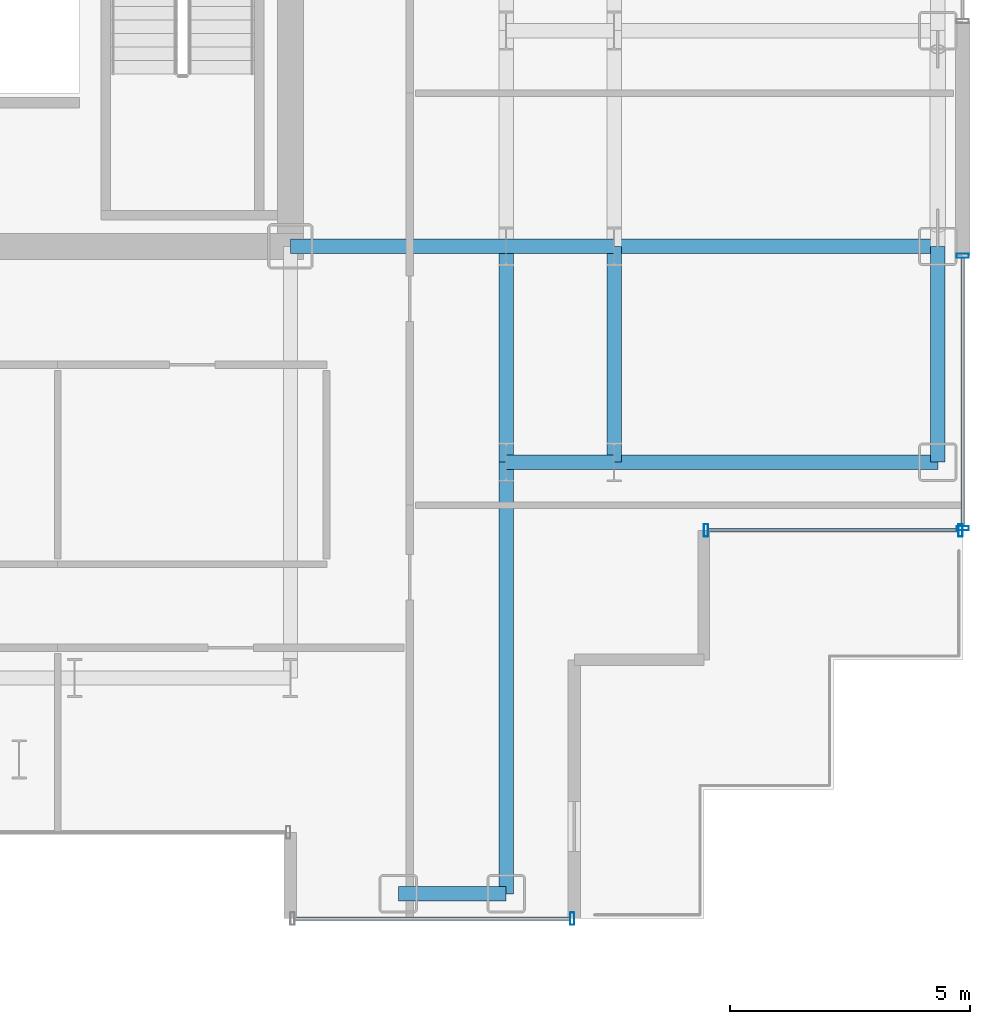
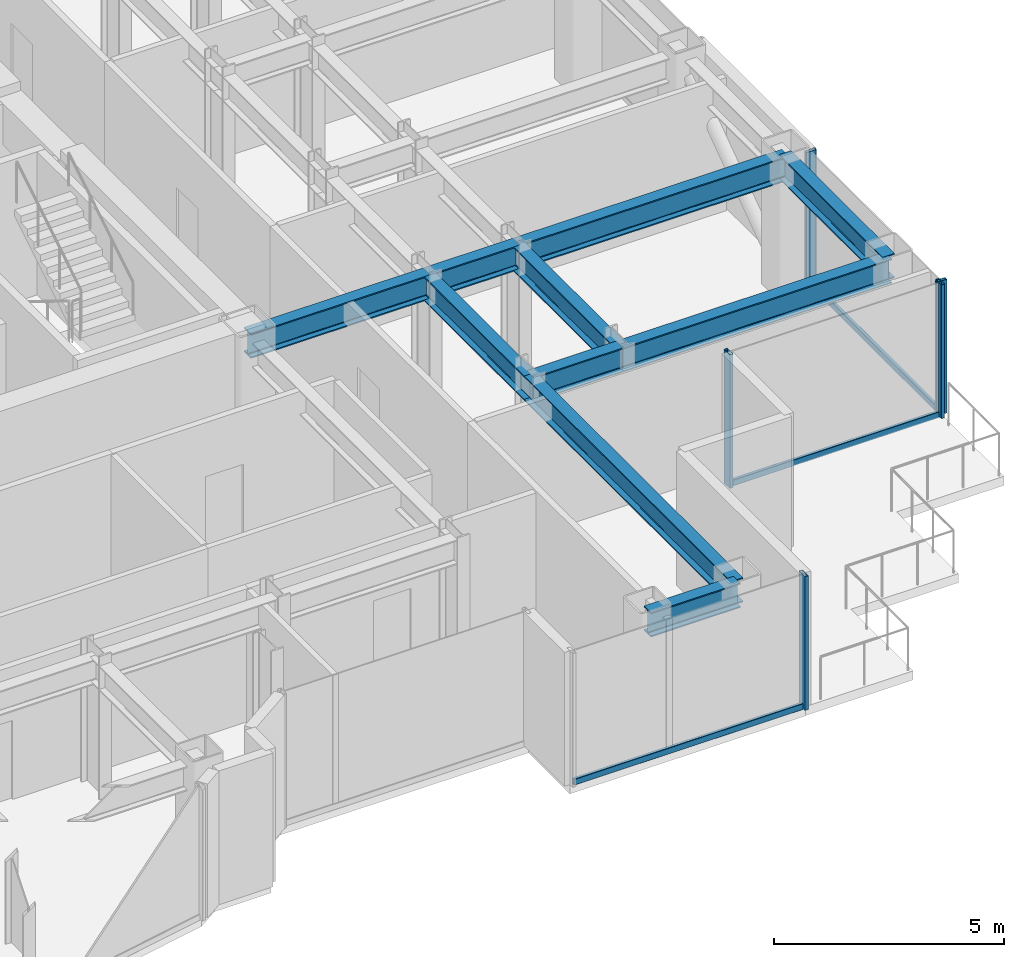
# One storey, part 10 of 27: 10 beams, 8 members, 3 elements without a shape of their own.
"""IFC4 building model written with IfcOpenShell, lengths in metres."""

from ifc_helpers import new_model, si_unit, direction, frame, origin, origin_2d, place, context, subcontext, project, spatial, hollow_rectangle, i_section, extrude, source, transform, mapped, material, layer, layer_set, material_profile, profile_set, type_object, element, aggregate, save


model = new_model("IFC4")

# Units and contexts
model_context = context("Model", 3, precision=1e-05, world=origin(), true_north=direction((0.0, 1.0)))
body_context = subcontext(model_context, "Body", "Model", "MODEL_VIEW")
ifc_project = project(units=[si_unit("LENGTHUNIT", "METRE"), si_unit("AREAUNIT", "SQUARE_METRE"), si_unit("VOLUMEUNIT", "CUBIC_METRE"), si_unit("PLANEANGLEUNIT", "RADIAN"), si_unit("MASSUNIT", "GRAM", prefix="KILO")], contexts=[model_context])

# Site, building, storey
site_placement = place(None, origin())
site = spatial("IfcSite", under=ifc_project, at=site_placement, CompositionType="ELEMENT")
building_placement = place(site_placement, origin())
building = spatial("IfcBuilding", under=site, at=building_placement, Name="Nefas-Gora Pilgrimage Tower", CompositionType="ELEMENT")
storey_placement = place(building_placement, frame((0.0, 0.0, 183.0)))
storey = spatial("IfcBuildingStorey", under=building, at=storey_placement, Name="L45", CompositionType="ELEMENT", Elevation=183.0)

# Beams
ifc_material_1 = material(Name="Steel S355", Category="steel")
ifc_material_profile_1 = material_profile(ifc_material_1, i_section(OverallWidth=0.300048828125, OverallDepth=0.64990234375, WebThickness=0.01611328125, FlangeThickness=0.031005859375, FilletRadius=0.027099609375, at=origin_2d()), Name="HEB 650")
ifc_profile_set_1 = profile_set([ifc_material_profile_1], Name="Steel S355")
beam_type_1 = type_object("IfcBeamType", Name="BM-SPN-HEB500", PredefinedType="SPANDREL", material=ifc_profile_set_1)
shared_shape_1 = source(origin(), body_context, "Body", "SweptSolid", [
    extrude(i_section(OverallWidth=0.300048828125, OverallDepth=0.64990234375, WebThickness=0.01611328125, FlangeThickness=0.031005859375, FilletRadius=0.027099609375, at=origin_2d()), origin(), (0.0, 0.0, 1.0), 4.5),
])
beam_1_placement = place(storey_placement, frame((24.75, -13.5, 3.22509765625), z_axis=(0.0, 1.0, 0.0), x_axis=(-1.0, 0.0, 0.0)))
element("IfcBeam", 1, at=beam_1_placement, inside=storey, type_object=beam_type_1, Name="L45 SP-02 beam", PredefinedType="SPANDREL", context=body_context, shape_type="MappedRepresentation", body=[
    mapped(shared_shape_1, transform((0.0, 0.0, 0.0), x_axis=(1.0, 0.0, 0.0), y_axis=(0.0, 1.0, 0.0), z_axis=(0.0, 0.0, 1.0), scale=1.0)),
])
ifc_material_profile_2 = material_profile(ifc_material_1, i_section(OverallWidth=0.300048828125, OverallDepth=0.64990234375, WebThickness=0.01611328125, FlangeThickness=0.031005859375, FilletRadius=0.027099609375, at=origin_2d()), Name="HEB 650")
ifc_profile_set_2 = profile_set([ifc_material_profile_2], Name="Steel S355")
beam_type_2 = type_object("IfcBeamType", Name="BM-GIR-HEB650", PredefinedType="BEAM", material=ifc_profile_set_2)
shared_shape_2 = source(origin(), body_context, "Body", "SweptSolid", [
    extrude(i_section(OverallWidth=0.300048828125, OverallDepth=0.64990234375, WebThickness=0.01611328125, FlangeThickness=0.031005859375, FilletRadius=0.027099609375, at=origin_2d()), origin(), (0.0, 0.0, 1.0), 9.0),
])
beam_2_placement = place(storey_placement, frame((15.75, -22.5, 3.22509765625), z_axis=(0.0, 1.0, 0.0), x_axis=(-1.0, 0.0, 0.0)))
element("IfcBeam", 2, at=beam_2_placement, inside=storey, type_object=beam_type_2, Name="L45 G-03 beam", PredefinedType="BEAM", context=body_context, shape_type="MappedRepresentation", body=[
    mapped(shared_shape_2, transform((0.0, 0.0, 0.0), x_axis=(1.0, 0.0, 0.0), y_axis=(0.0, 1.0, 0.0), z_axis=(0.0, 0.0, 1.0), scale=1.0)),
])
shared_shape_3 = source(origin(), body_context, "Body", "SweptSolid", [
    extrude(i_section(OverallWidth=0.300048828125, OverallDepth=0.64990234375, WebThickness=0.01611328125, FlangeThickness=0.031005859375, FilletRadius=0.027099609375, at=origin_2d()), origin(), (0.0, 0.0, 1.0), 4.5),
])
for number, where, z_axis, x_axis, name in (
    (3, (11.25, -9.0, 3.22509765625), (1.0, 0.0, 0.0), (0.0, 1.0, 0.0), "L45 G-03 beam"),
    (4, (15.75, -13.5, 3.22509765625), (0.0, 1.0, 0.0), (-1.0, 0.0, 0.0), "L45 G-03 beam"),
    (5, (18.0, -13.5, 3.22509765625), (0.0, 1.0, 0.0), (-1.0, 0.0, 0.0), "L45 G-03 beam"),
):
    element("IfcBeam", number, at=place(storey_placement, frame(where, z_axis=z_axis, x_axis=x_axis)), inside=storey, type_object=beam_type_2, Name=name, PredefinedType="BEAM", context=body_context, shape_type="MappedRepresentation", body=[
        mapped(shared_shape_3, transform((0.0, 0.0, 0.0), x_axis=(1.0, 0.0, 0.0), y_axis=(0.0, 1.0, 0.0), z_axis=(0.0, 0.0, 1.0), scale=1.0)),
    ])
shared_shape_4 = source(origin(), body_context, "Body", "SweptSolid", [
    extrude(i_section(OverallWidth=0.300048828125, OverallDepth=0.64990234375, WebThickness=0.01611328125, FlangeThickness=0.031005859375, FilletRadius=0.027099609375, at=origin_2d()), origin(), (0.0, 0.0, 1.0), 6.75),
])
for number, where, z_axis, x_axis, name in (
    (6, (18.0, -13.5, 3.22509765625), (1.0, 0.0, 0.0), (0.0, 1.0, 0.0), "L45 G-03 beam"),
    (7, (18.0, -9.0, 3.22509765625), (1.0, 0.0, 0.0), (0.0, 1.0, 0.0), "L45 G-03 beam"),
):
    element("IfcBeam", number, at=place(storey_placement, frame(where, z_axis=z_axis, x_axis=x_axis)), inside=storey, type_object=beam_type_2, Name=name, PredefinedType="BEAM", context=body_context, shape_type="MappedRepresentation", body=[
        mapped(shared_shape_4, transform((0.0, 0.0, 0.0), x_axis=(1.0, 0.0, 0.0), y_axis=(0.0, 1.0, 0.0), z_axis=(0.0, 0.0, 1.0), scale=1.0)),
    ])
shared_shape_5 = source(origin(), body_context, "Body", "SweptSolid", [
    extrude(i_section(OverallWidth=0.300048828125, OverallDepth=0.64990234375, WebThickness=0.01611328125, FlangeThickness=0.031005859375, FilletRadius=0.027099609375, at=origin_2d()), origin(), (0.0, 0.0, 1.0), 2.25),
])
beam_3_placement = place(storey_placement, frame((13.5, -22.5, 3.22509765625), z_axis=(1.0, 0.0, 0.0), x_axis=(0.0, 1.0, 0.0)))
element("IfcBeam", 8, at=beam_3_placement, inside=storey, type_object=beam_type_1, Name="L45 SP-02 beam", PredefinedType="SPANDREL", context=body_context, shape_type="MappedRepresentation", body=[
    mapped(shared_shape_5, transform((0.0, 0.0, 0.0), x_axis=(1.0, 0.0, 0.0), y_axis=(0.0, 1.0, 0.0), z_axis=(0.0, 0.0, 1.0), scale=1.0)),
])
shared_shape_6 = source(origin(), body_context, "Body", "SweptSolid", [
    extrude(i_section(OverallWidth=0.300048828125, OverallDepth=0.64990234375, WebThickness=0.01611328125, FlangeThickness=0.031005859375, FilletRadius=0.027099609375, at=origin_2d()), origin(), (0.0, 0.0, 1.0), 2.25),
])
for number, where, z_axis, x_axis, name in (
    (9, (15.75, -13.5, 3.22509765625), (1.0, 0.0, 0.0), (0.0, 1.0, 0.0), "L45 G-03 beam"),
    (10, (15.75, -9.0, 3.22509765625), (1.0, 0.0, 0.0), (0.0, 1.0, 0.0), "L45 G-03 beam"),
):
    element("IfcBeam", number, at=place(storey_placement, frame(where, z_axis=z_axis, x_axis=x_axis)), inside=storey, type_object=beam_type_2, Name=name, PredefinedType="BEAM", context=body_context, shape_type="MappedRepresentation", body=[
        mapped(shared_shape_6, transform((0.0, 0.0, 0.0), x_axis=(1.0, 0.0, 0.0), y_axis=(0.0, 1.0, 0.0), z_axis=(0.0, 0.0, 1.0), scale=1.0)),
    ])

# Curtain wall, member
ifc_material_2 = material(Name="Dark ceramic-fritted solar-control aluminium-glass curtain wall", Category="aluminium")
ifc_layer = layer(ifc_material_2, 0.219970703125)
ifc_layer_set = layer_set([ifc_layer], Name="Dark ceramic-fritted solar-control aluminium-glass curtain wall")
curtain_wall_type = type_object("IfcCurtainWallType", Name="CW-SYS-3", PredefinedType="NOTDEFINED", material=ifc_layer_set)
curtain_wall_1_placement = place(storey_placement, origin())
curtain_wall_1 = element("IfcCurtainWall", 11, at=curtain_wall_1_placement, inside=storey, type_object=curtain_wall_type, Name="L45 Unitised Curtain Wall CW3", PredefinedType="NOTDEFINED")
ifc_material_3 = material(Name="Anodised architectural aluminium", Category="aluminium")
ifc_material_profile_3 = material_profile(ifc_material_3, hollow_rectangle(XDim=0.090087890625, YDim=0.260009765625, WallThickness=0.006103515625, InnerFilletRadius=0.006103515625, OuterFilletRadius=0.011962890625, at=origin_2d()), Name="ALU MULLION 90x260")
ifc_profile_set_3 = profile_set([ifc_material_profile_3], Name="Anodised architectural aluminium")
member_type_1 = type_object("IfcMemberType", Name="CWM-MUL-3", PredefinedType="MULLION", material=ifc_profile_set_3)
shared_shape_7 = source(origin(), body_context, "Body", "SweptSolid", [
    extrude(hollow_rectangle(XDim=0.090087890625, YDim=0.260009765625, WallThickness=0.006103515625, InnerFilletRadius=0.006103515625, OuterFilletRadius=0.011962890625, at=origin_2d()), origin(), (0.0, 0.0, 1.0), 3.550048828125),
])
member_1_placement = place(storey_placement, frame((17.125, -23.02001953125, 0.0), z_axis=(0.0, 0.0, 1.0), x_axis=(1.0, 0.0, 0.0)))
member_1 = element("IfcMember", 12, at=member_1_placement, type_object=member_type_1, Name="CW3 Mullion 2", PredefinedType="MULLION", context=body_context, shape_type="MappedRepresentation", body=[
    mapped(shared_shape_7, transform((0.0, 0.0, 0.0), x_axis=(1.0, 0.0, 0.0), y_axis=(0.0, 1.0, 0.0), z_axis=(0.0, 0.0, 1.0), scale=1.0)),
])

# Curtain wall, members
curtain_wall_2_placement = place(storey_placement, origin())
curtain_wall_2 = element("IfcCurtainWall", 13, at=curtain_wall_2_placement, inside=storey, type_object=curtain_wall_type, Name="L45 Unitised Curtain Wall CW3", PredefinedType="NOTDEFINED")
member_2_placement = place(storey_placement, frame((19.9150390625, -14.919921875, 0.0), z_axis=(0.0, 0.0, 1.0), x_axis=(1.0, 0.0, 0.0)))
member_2 = element("IfcMember", 14, at=member_2_placement, type_object=member_type_1, Name="CW3 Mullion 1", PredefinedType="MULLION", context=body_context, shape_type="MappedRepresentation", body=[
    mapped(shared_shape_7, transform((0.0, 0.0, 0.0), x_axis=(1.0, 0.0, 0.0), y_axis=(0.0, 1.0, 0.0), z_axis=(0.0, 0.0, 1.0), scale=1.0)),
])
member_3_placement = place(storey_placement, frame((25.22509765625, -14.919921875, 0.0), z_axis=(0.0, 0.0, 1.0), x_axis=(1.0, 0.0, 0.0)))
member_3 = element("IfcMember", 15, at=member_3_placement, type_object=member_type_1, Name="CW3 Mullion 2", PredefinedType="MULLION", context=body_context, shape_type="MappedRepresentation", body=[
    mapped(shared_shape_7, transform((0.0, 0.0, 0.0), x_axis=(1.0, 0.0, 0.0), y_axis=(0.0, 1.0, 0.0), z_axis=(0.0, 0.0, 1.0), scale=1.0)),
])

curtain_wall_3_placement = place(storey_placement, origin())
curtain_wall_3 = element("IfcCurtainWall", 16, at=curtain_wall_3_placement, inside=storey, type_object=curtain_wall_type, Name="L45 Unitised Curtain Wall CW3", PredefinedType="NOTDEFINED")
member_4_placement = place(storey_placement, frame((25.27001953125, -14.875, 0.0), z_axis=(0.0, 0.0, 1.0), x_axis=(0.0, 1.0, 0.0)))
member_4 = element("IfcMember", 17, at=member_4_placement, type_object=member_type_1, Name="CW3 Mullion 1", PredefinedType="MULLION", context=body_context, shape_type="MappedRepresentation", body=[
    mapped(shared_shape_7, transform((0.0, 0.0, 0.0), x_axis=(1.0, 0.0, 0.0), y_axis=(0.0, 1.0, 0.0), z_axis=(0.0, 0.0, 1.0), scale=1.0)),
])
member_5_placement = place(storey_placement, frame((25.27001953125, -9.195068359375, 0.0), z_axis=(0.0, 0.0, 1.0), x_axis=(0.0, 1.0, 0.0)))
member_5 = element("IfcMember", 18, at=member_5_placement, type_object=member_type_1, Name="CW3 Mullion 2", PredefinedType="MULLION", context=body_context, shape_type="MappedRepresentation", body=[
    mapped(shared_shape_7, transform((0.0, 0.0, 0.0), x_axis=(1.0, 0.0, 0.0), y_axis=(0.0, 1.0, 0.0), z_axis=(0.0, 0.0, 1.0), scale=1.0)),
])

# Member
ifc_material_profile_4 = material_profile(ifc_material_3, hollow_rectangle(XDim=0.080078125, YDim=0.159912109375, WallThickness=0.00439453125, InnerFilletRadius=0.00439453125, OuterFilletRadius=0.009033203125, at=origin_2d()), Name="ALU TRANSOM 80x160")
ifc_profile_set_4 = profile_set([ifc_material_profile_4], Name="Anodised architectural aluminium")
member_type_2 = type_object("IfcMemberType", Name="CWM-TRN-3", PredefinedType="USERDEFINED", material=ifc_profile_set_4)
shared_shape_8 = source(origin(), body_context, "Body", "SweptSolid", [
    extrude(hollow_rectangle(XDim=0.080078125, YDim=0.159912109375, WallThickness=0.00439453125, InnerFilletRadius=0.00439453125, OuterFilletRadius=0.009033203125, at=origin_2d()), origin(), (0.0, 0.0, 1.0), 5.219970703125),
])
member_6_placement = place(storey_placement, frame((19.9599609375, -14.919921875, 0.050048828125), z_axis=(1.0, 0.0, 0.0), x_axis=(0.0, 1.0, 0.0)))
member_6 = element("IfcMember", 19, at=member_6_placement, type_object=member_type_2, Name="CW3 Spandrel Transom", ObjectType="TRANSOM", PredefinedType="USERDEFINED", context=body_context, shape_type="MappedRepresentation", body=[
    mapped(shared_shape_8, transform((0.0, 0.0, 0.0), x_axis=(1.0, 0.0, 0.0), y_axis=(0.0, 1.0, 0.0), z_axis=(0.0, 0.0, 1.0), scale=1.0)),
])

aggregate(curtain_wall_2, [member_2, member_3, member_6])

shared_shape_9 = source(origin(), body_context, "Body", "SweptSolid", [
    extrude(hollow_rectangle(XDim=0.080078125, YDim=0.159912109375, WallThickness=0.00439453125, InnerFilletRadius=0.00439453125, OuterFilletRadius=0.009033203125, at=origin_2d()), origin(), (0.0, 0.0, 1.0), 5.739990234375),
])
member_7_placement = place(storey_placement, frame((11.340087890625, -23.02001953125, 0.050048828125), z_axis=(1.0, 0.0, 0.0), x_axis=(0.0, 1.0, 0.0)))
member_7 = element("IfcMember", 20, at=member_7_placement, type_object=member_type_2, Name="CW3 Spandrel Transom", ObjectType="TRANSOM", PredefinedType="USERDEFINED", context=body_context, shape_type="MappedRepresentation", body=[
    mapped(shared_shape_9, transform((0.0, 0.0, 0.0), x_axis=(1.0, 0.0, 0.0), y_axis=(0.0, 1.0, 0.0), z_axis=(0.0, 0.0, 1.0), scale=1.0)),
])

aggregate(curtain_wall_1, [member_1, member_7])

shared_shape_10 = source(origin(), body_context, "Body", "SweptSolid", [
    extrude(hollow_rectangle(XDim=0.080078125, YDim=0.159912109375, WallThickness=0.00439453125, InnerFilletRadius=0.00439453125, OuterFilletRadius=0.009033203125, at=origin_2d()), origin(), (0.0, 0.0, 1.0), 5.590087890625),
])
member_8_placement = place(storey_placement, frame((25.27001953125, -14.830078125, 0.050048828125), z_axis=(0.0, 1.0, 0.0), x_axis=(-1.0, 0.0, 0.0)))
member_8 = element("IfcMember", 21, at=member_8_placement, type_object=member_type_2, Name="CW3 Spandrel Transom", ObjectType="TRANSOM", PredefinedType="USERDEFINED", context=body_context, shape_type="MappedRepresentation", body=[
    mapped(shared_shape_10, transform((0.0, 0.0, 0.0), x_axis=(1.0, 0.0, 0.0), y_axis=(0.0, 1.0, 0.0), z_axis=(0.0, 0.0, 1.0), scale=1.0)),
])

aggregate(curtain_wall_3, [member_4, member_5, member_8])

save(model, "model.ifc")
